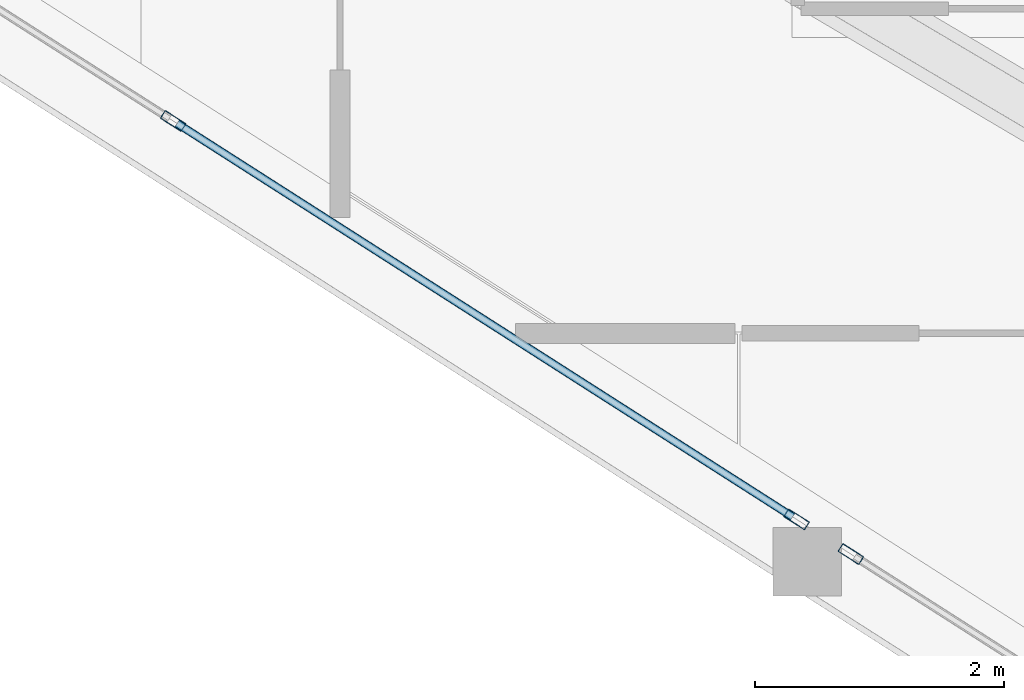
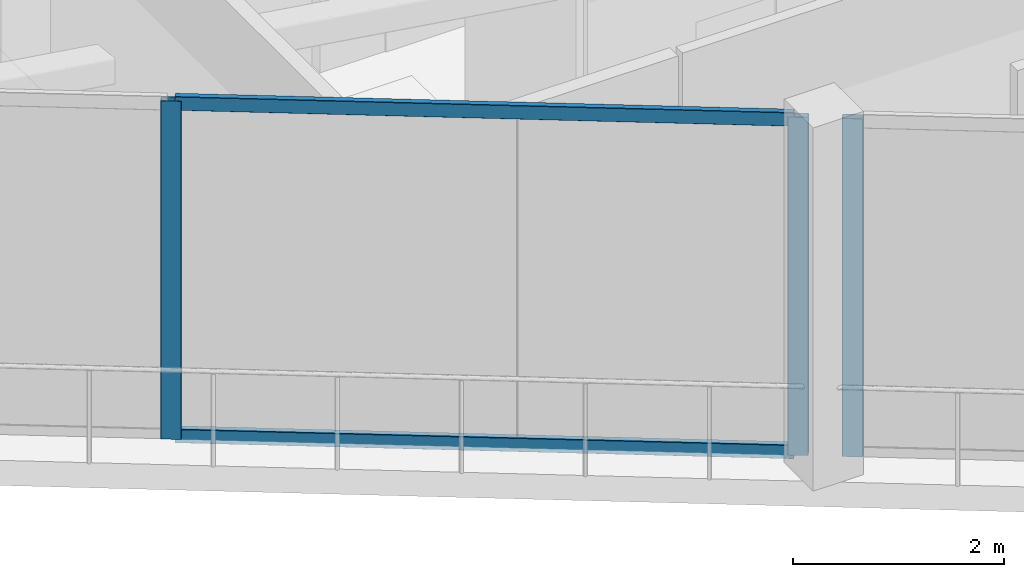
# One storey, part 2 of 30: 5 members, 2 elements without a shape of their own.
"""IFC4 building model written with IfcOpenShell, lengths in metres."""

from ifc_helpers import new_model, si_unit, direction, frame, origin, origin_2d, place, context, subcontext, project, spatial, hollow_rectangle, extrude, material, layer, layer_set, material_profile, profile_set, type_object, element, aggregate, save


model = new_model("IFC4")

# Units and contexts
model_context = context("Model", 3, precision=1e-05, world=origin(), true_north=direction((0.0, 1.0)))
body_context = subcontext(model_context, "Body", "Model", "MODEL_VIEW")
ifc_project = project(units=[si_unit("LENGTHUNIT", "METRE"), si_unit("AREAUNIT", "SQUARE_METRE"), si_unit("VOLUMEUNIT", "CUBIC_METRE"), si_unit("PLANEANGLEUNIT", "RADIAN"), si_unit("MASSUNIT", "GRAM", prefix="KILO")], contexts=[model_context])

# Site, building, storey
site_placement = place(None, origin())
site = spatial("IfcSite", under=ifc_project, at=site_placement, CompositionType="ELEMENT")
building_placement = place(site_placement, origin())
building = spatial("IfcBuilding", under=site, at=building_placement, Name="Qorvath Tower", CompositionType="ELEMENT")
storey_placement = place(building_placement, frame((0.0, 0.0, 301.800048828125)))
storey = spatial("IfcBuildingStorey", under=building, at=storey_placement, Name="L70", CompositionType="ELEMENT", Elevation=301.800048828125)

# Curtain wall, members
ifc_material_1 = material(Name="Anodised aluminium and triple low-E glass", Category="aluminium")
ifc_layer = layer(ifc_material_1, 0.179931640625)
ifc_layer_set = layer_set([ifc_layer], Name="CW-SYS-4")
curtain_wall_type = type_object("IfcCurtainWallType", Name="CW-SYS-4", PredefinedType="NOTDEFINED", material=ifc_layer_set)
curtain_wall_1_placement = place(storey_placement, origin())
curtain_wall_1 = element("IfcCurtainWall", 1, at=curtain_wall_1_placement, inside=storey, type_object=curtain_wall_type, Name="Curtain Wall CW-4 CW-T-L70-2.1", PredefinedType="NOTDEFINED")
ifc_material_2 = material(Name="Anodised aluminium 6063-T6", Category="aluminium")
ifc_material_profile_1 = material_profile(ifc_material_2, hollow_rectangle(XDim=0.074951171875, YDim=0.199951171875, WallThickness=0.00390625, InnerFilletRadius=0.00390625, OuterFilletRadius=0.008056640625, at=origin_2d()), Name="CWM 200x75")
ifc_profile_set_1 = profile_set([ifc_material_profile_1], Name="Anodised aluminium 6063-T6")
member_type_1 = type_object("IfcMemberType", Name="CWM-200", PredefinedType="MULLION", material=ifc_profile_set_1)
member_1_placement = place(storey_placement, frame((-39.197021484375, -9.25146484375, 0.0), z_axis=(0.0, 0.0, 1.0), x_axis=(0.538527126724, 0.842608173342, 0.0)))
member_1 = element("IfcMember", 2, at=member_1_placement, type_object=member_type_1, Name="CW-4 mullion 3", PredefinedType="MULLION", context=body_context, shape_type="SweptSolid", body=[
    extrude(hollow_rectangle(XDim=0.074951171875, YDim=0.199951171875, WallThickness=0.00390625, InnerFilletRadius=0.00390625, OuterFilletRadius=0.008056640625, at=origin_2d()), origin(), (0.0, 0.0, 1.0), 3.909912109375),
])
member_2_placement = place(storey_placement, frame((-34.188720703125, -12.4521484375, 0.0), z_axis=(0.0, 0.0, 1.0), x_axis=(0.538527126724, 0.842608173342, 0.0)))
member_2 = element("IfcMember", 3, at=member_2_placement, type_object=member_type_1, Name="CW-4 mullion 4", PredefinedType="MULLION", context=body_context, shape_type="SweptSolid", body=[
    extrude(hollow_rectangle(XDim=0.074951171875, YDim=0.199951171875, WallThickness=0.00390625, InnerFilletRadius=0.00390625, OuterFilletRadius=0.008056640625, at=origin_2d()), origin(), (0.0, 0.0, 1.0), 3.909912109375),
])

# Curtain wall, member
curtain_wall_2_placement = place(storey_placement, origin())
curtain_wall_2 = element("IfcCurtainWall", 4, at=curtain_wall_2_placement, inside=storey, type_object=curtain_wall_type, Name="Curtain Wall CW-4 CW-T-L70-2.2", PredefinedType="NOTDEFINED")
member_3_placement = place(storey_placement, frame((-33.752685546875, -12.731201171875, 0.0), z_axis=(0.0, 0.0, 1.0), x_axis=(0.538535180788, 0.84260302578, 0.0)))
member_3 = element("IfcMember", 5, at=member_3_placement, type_object=member_type_1, Name="CW-4 mullion 1", PredefinedType="MULLION", context=body_context, shape_type="SweptSolid", body=[
    extrude(hollow_rectangle(XDim=0.074951171875, YDim=0.199951171875, WallThickness=0.00390625, InnerFilletRadius=0.00390625, OuterFilletRadius=0.008056640625, at=origin_2d()), origin(), (0.0, 0.0, 1.0), 3.909912109375),
])
aggregate(curtain_wall_2, [member_3])

# Member
ifc_material_3 = material(Name="Anodised aluminium 6063-T6", Category="aluminium")
ifc_material_profile_2 = material_profile(ifc_material_3, hollow_rectangle(XDim=0.06494140625, YDim=0.159912109375, WallThickness=0.00341796875, InnerFilletRadius=0.00341796875, OuterFilletRadius=0.007080078125, at=origin_2d()), Name="CWT 160x65")
ifc_profile_set_2 = profile_set([ifc_material_profile_2], Name="Anodised aluminium 6063-T6")
member_type_2 = type_object("IfcMemberType", Name="CWT-160", PredefinedType="USERDEFINED", material=ifc_profile_set_2)
member_4_placement = place(storey_placement, frame((-39.165283203125, -9.271484375, 0.032470703125), z_axis=(0.842584044534, -0.538564878075, 0.0), x_axis=(0.538564878075, 0.842584044534, 0.0)))
member_4 = element("IfcMember", 6, at=member_4_placement, type_object=member_type_2, Name="CW-4 transom 3.1", ObjectType="TRANSOM", PredefinedType="USERDEFINED", context=body_context, shape_type="SweptSolid", body=[
    extrude(hollow_rectangle(XDim=0.06494140625, YDim=0.159912109375, WallThickness=0.00341796875, InnerFilletRadius=0.00341796875, OuterFilletRadius=0.007080078125, at=origin_2d()), origin(), (0.0, 0.0, 1.0), 5.86865234375),
])

member_5_placement = place(storey_placement, frame((-39.165283203125, -9.271484375, 3.87744140625), z_axis=(0.842584044534, -0.538564878075, 0.0), x_axis=(0.538564878075, 0.842584044534, 0.0)))
member_5 = element("IfcMember", 7, at=member_5_placement, type_object=member_type_2, Name="CW-4 transom 3.2", ObjectType="TRANSOM", PredefinedType="USERDEFINED", context=body_context, shape_type="SweptSolid", body=[
    extrude(hollow_rectangle(XDim=0.06494140625, YDim=0.159912109375, WallThickness=0.00341796875, InnerFilletRadius=0.00341796875, OuterFilletRadius=0.007080078125, at=origin_2d()), origin(), (0.0, 0.0, 1.0), 5.86865234375),
])

aggregate(curtain_wall_1, [member_1, member_2, member_4, member_5])

save(model, "model.ifc")
